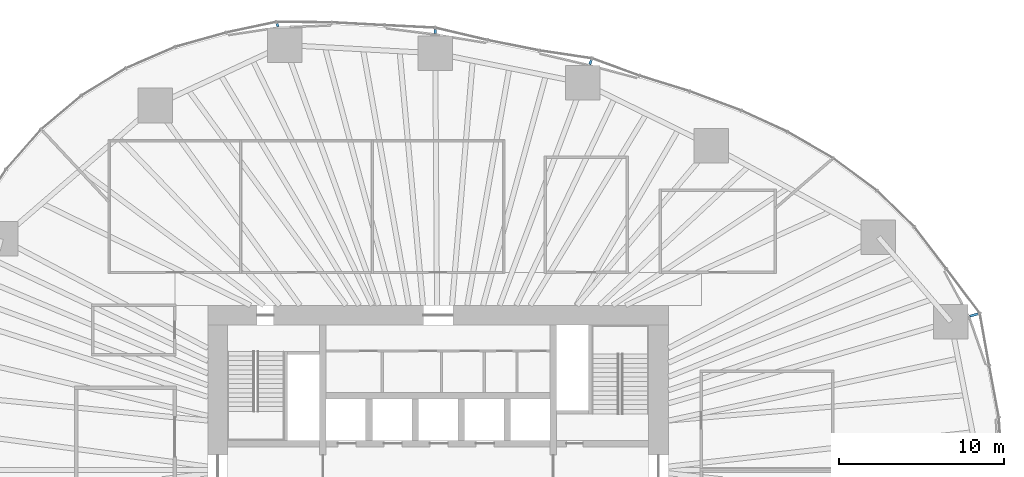
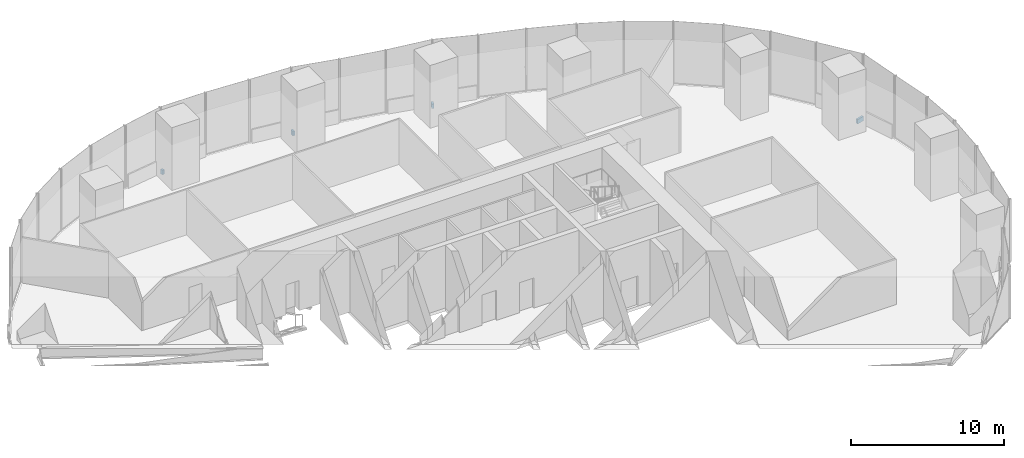
# One storey, part 15 of 20: 4 discrete accessories.
"""IFC4 building model written with IfcOpenShell, lengths in metres."""

from ifc_helpers import new_model, si_unit, direction, frame, origin, origin_2d, place, context, subcontext, project, spatial, rectangle, extrude, material, type_object, element, save


model = new_model("IFC4")

# Units and contexts
model_context = context("Model", 3, precision=1e-05, world=origin(), true_north=direction((0.0, 1.0)))
body_context = subcontext(model_context, "Body", "Model", "MODEL_VIEW")
ifc_project = project(units=[si_unit("LENGTHUNIT", "METRE"), si_unit("AREAUNIT", "SQUARE_METRE"), si_unit("VOLUMEUNIT", "CUBIC_METRE"), si_unit("PLANEANGLEUNIT", "RADIAN"), si_unit("MASSUNIT", "GRAM", prefix="KILO")], contexts=[model_context])

# Site, building, storey
site_placement = place(None, origin())
site = spatial("IfcSite", under=ifc_project, at=site_placement, CompositionType="ELEMENT")
building_placement = place(site_placement, origin())
building = spatial("IfcBuilding", under=site, at=building_placement, Name="Ghaith Harvest Tower", CompositionType="ELEMENT")
storey_placement = place(building_placement, frame((0.0, 0.0, 35.0)))
storey = spatial("IfcBuildingStorey", under=building, at=storey_placement, Name="L07", CompositionType="ELEMENT", Elevation=35.0)

# Discrete accessories
ifc_material_1 = material(Name="Stainless steel grade 1.4401", Category="steel")
discrete_accessory_type_1 = type_object("IfcDiscreteAccessoryType", Name="CURTAIN WALL BRACKET 205", PredefinedType="BRACKET", material=ifc_material_1)
discrete_accessory_1_placement = place(storey_placement, frame((-9.766845703125, 27.04150390625, -0.25), z_axis=(0.0, 0.0, 1.0), x_axis=(-0.339699453402, 0.94053404051, 0.0)))
element("IfcDiscreteAccessory", 1, at=discrete_accessory_1_placement, inside=storey, type_object=discrete_accessory_type_1, Name="CW-F bracket 1 bay 07 L07", PredefinedType="BRACKET", context=body_context, shape_type="SweptSolid", body=[
    extrude(rectangle(XDim=0.205078125, YDim=0.14990234375, at=origin_2d()), origin(), (0.0, 0.0, 1.0), 0.35009765625),
])
ifc_material_2 = material(Name="Stainless steel grade 1.4401", Category="steel")
discrete_accessory_type_2 = type_object("IfcDiscreteAccessoryType", Name="CURTAIN WALL BRACKET 255", PredefinedType="BRACKET", material=ifc_material_2)
discrete_accessory_2_placement = place(storey_placement, frame((-0.182373046875, 26.649658203125, -0.25), z_axis=(0.0, 0.0, 1.0), x_axis=(-0.006843747783, 0.999976581284, 0.0)))
element("IfcDiscreteAccessory", 2, at=discrete_accessory_2_placement, inside=storey, type_object=discrete_accessory_type_2, Name="CW-F bracket 1 bay 06 L07", PredefinedType="BRACKET", context=body_context, shape_type="SweptSolid", body=[
    extrude(rectangle(XDim=0.2548828125, YDim=0.14990234375, at=origin_2d()), origin(), (0.0, 0.0, 1.0), 0.35009765625),
])
ifc_material_3 = material(Name="Stainless steel grade 1.4401", Category="steel")
discrete_accessory_type_3 = type_object("IfcDiscreteAccessoryType", Name="CURTAIN WALL BRACKET 295", PredefinedType="BRACKET", material=ifc_material_3)
discrete_accessory_3_placement = place(storey_placement, frame((9.265380859375, 24.7841796875, -0.25), z_axis=(0.0, 0.0, 1.0), x_axis=(0.35016769709, 0.936687025593, 0.0)))
element("IfcDiscreteAccessory", 3, at=discrete_accessory_3_placement, inside=storey, type_object=discrete_accessory_type_3, Name="CW-F bracket 1 bay 05 L07", PredefinedType="BRACKET", context=body_context, shape_type="SweptSolid", body=[
    extrude(rectangle(XDim=0.294921875, YDim=0.14990234375, at=origin_2d()), origin(), (0.0, 0.0, 1.0), 0.35009765625),
])
ifc_material_4 = material(Name="Stainless steel grade 1.4401", Category="steel")
discrete_accessory_type_4 = type_object("IfcDiscreteAccessoryType", Name="CURTAIN WALL BRACKET 535", PredefinedType="BRACKET", material=ifc_material_4)
discrete_accessory_4_placement = place(storey_placement, frame((32.570556640625, 9.41357421875, -0.25), z_axis=(0.0, 0.0, 1.0), x_axis=(0.960680349985, 0.277656739792, 0.0)))
element("IfcDiscreteAccessory", 4, at=discrete_accessory_4_placement, inside=storey, type_object=discrete_accessory_type_4, Name="CW-F bracket 1 bay 02 L07", PredefinedType="BRACKET", context=body_context, shape_type="SweptSolid", body=[
    extrude(rectangle(XDim=0.534912109375, YDim=0.14990234375, at=origin_2d()), origin(), (0.0, 0.0, 1.0), 0.35009765625),
])

save(model, "model.ifc")
